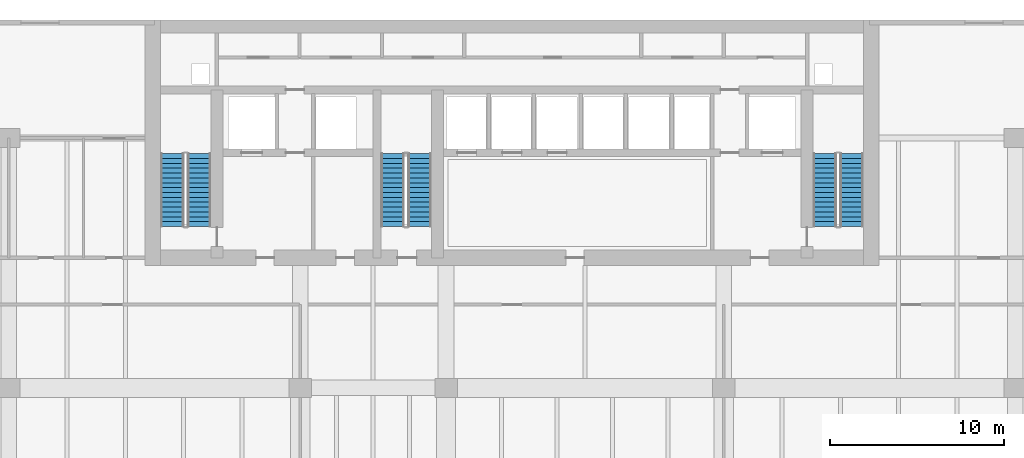
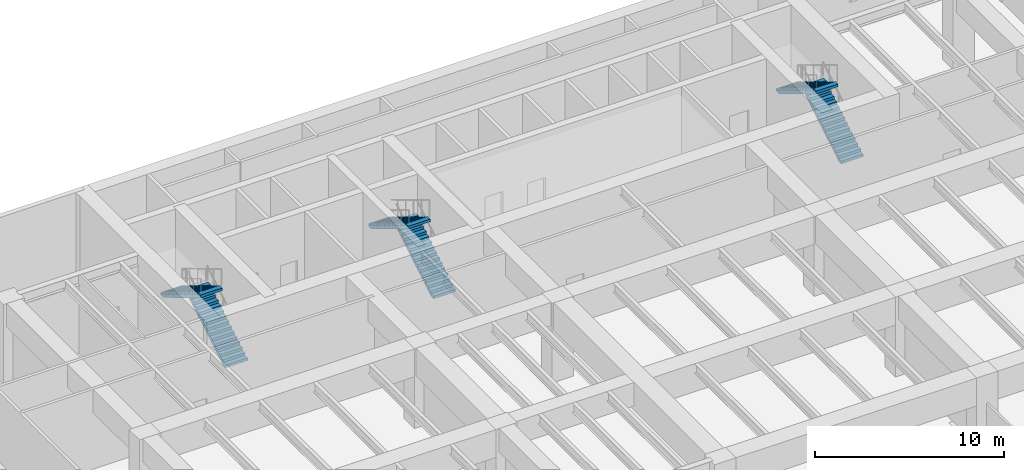
# One storey, part 9 of 12: 6 stair flights, 3 elements without a shape of their own.
"""IFC4 building model written with IfcOpenShell, lengths in metres."""

from ifc_helpers import new_model, si_unit, direction, frame, origin, place, context, subcontext, project, spatial, polyline, outline, extrude, material, type_object, element, aggregate, save


model = new_model("IFC4")

# Units and contexts
model_context = context("Model", 3, precision=1e-05, world=origin(), true_north=direction((0.0, 1.0)))
body_context = subcontext(model_context, "Body", "Model", "MODEL_VIEW")
ifc_project = project(units=[si_unit("LENGTHUNIT", "METRE"), si_unit("AREAUNIT", "SQUARE_METRE"), si_unit("VOLUMEUNIT", "CUBIC_METRE"), si_unit("PLANEANGLEUNIT", "RADIAN"), si_unit("MASSUNIT", "GRAM", prefix="KILO")], contexts=[model_context])

# Site, building, storey
site_placement = place(None, origin())
site = spatial("IfcSite", under=ifc_project, at=site_placement, CompositionType="ELEMENT")
building_placement = place(site_placement, origin())
building = spatial("IfcBuilding", under=site, at=building_placement, Name="Caelmar Bay Residences", CompositionType="ELEMENT")
storey_placement = place(building_placement, frame((0.0, 0.0, 24.60009765625)))
storey = spatial("IfcBuildingStorey", under=building, at=storey_placement, Name="L05", CompositionType="ELEMENT", Elevation=24.60009765625)

# Stair, stair flights
ifc_material_1 = material(Name="Concrete f'c 40 MPa (6,000 psi)", Category="concrete")
stair_type = type_object("IfcStairType", Name="ST-TAL-170", PredefinedType="HALF_TURN_STAIR", material=ifc_material_1)
stair_1_placement = place(storey_placement, origin())
stair_1 = element("IfcStair", 1, at=stair_1_placement, inside=storey, type_object=stair_type, Name="L05 West Smokeproof Exit Stair ST1", PredefinedType="HALF_TURN_STAIR")
ifc_material_2 = material(Name="Precast concrete f'c 40 MPa (6,000 psi)", Category="concrete")
stair_flight_type = type_object("IfcStairFlightType", Name="STF-1400", PredefinedType="STRAIGHT", material=ifc_material_2)
stair_flight_1_placement = place(storey_placement, frame((20.875, 38.699951171875, 0.0), z_axis=(0.0, 0.0, 1.0), x_axis=(0.0, 1.0, 0.0)))
stair_flight_1 = element("IfcStairFlight", 2, at=stair_flight_1_placement, type_object=stair_flight_type, Name="ST1 flight 1", NumberOfRisers=16, NumberOfTreads=15, PredefinedType="STRAIGHT", RiserHeight=0.16875, TreadLength=0.28, context=body_context, shape_type="SweptSolid", body=[
    extrude(outline(polyline([(0.0, 0.0), (0.0, 0.168701171875), (0.280029296875, 0.168701171875), (0.280029296875, 0.33740234375), (0.56005859375, 0.33740234375), (0.56005859375, 0.50634765625), (0.840087890625, 0.50634765625), (0.840087890625, 0.675048828125), (1.1201171875, 0.675048828125), (1.1201171875, 0.84375), (1.39990234375, 0.84375), (1.39990234375, 1.012451171875), (1.679931640625, 1.012451171875), (1.679931640625, 1.18115234375), (1.9599609375, 1.18115234375), (1.9599609375, 1.35009765625), (2.239990234375, 1.35009765625), (2.239990234375, 1.518798828125), (2.52001953125, 1.518798828125), (2.52001953125, 1.6875), (2.800048828125, 1.6875), (2.800048828125, 1.856201171875), (3.080078125, 1.856201171875), (3.080078125, 2.02490234375), (3.360107421875, 2.02490234375), (3.360107421875, 2.19384765625), (3.639892578125, 2.19384765625), (3.639892578125, 2.362548828125), (3.919921875, 2.362548828125), (3.919921875, 2.53125), (4.199951171875, 2.53125), (4.199951171875, 2.699951171875), (4.199951171875, 2.356201171875), (0.29052734375, 0.0), (0.0, 0.0)])), frame((0.0, 0.675048828125, 0.0), z_axis=(0.0, -1.0, 0.0), x_axis=(1.0, 0.0, 0.0)), (0.0, 0.0, 1.0), 1.35009765625),
])
stair_flight_2_placement = place(storey_placement, frame((19.324951171875, 42.89990234375, 2.699951171875), z_axis=(0.0, 0.0, 1.0), x_axis=(0.0, -1.0, 0.0)))
stair_flight_2 = element("IfcStairFlight", 3, at=stair_flight_2_placement, type_object=stair_flight_type, Name="ST1 flight 2", NumberOfRisers=16, NumberOfTreads=15, PredefinedType="STRAIGHT", RiserHeight=0.16875, TreadLength=0.28, context=body_context, shape_type="SweptSolid", body=[
    extrude(outline(polyline([(0.0, 0.0), (0.0, 0.168701171875), (0.280029296875, 0.168701171875), (0.280029296875, 0.33740234375), (0.56005859375, 0.33740234375), (0.56005859375, 0.50634765625), (0.840087890625, 0.50634765625), (0.840087890625, 0.675048828125), (1.1201171875, 0.675048828125), (1.1201171875, 0.84375), (1.39990234375, 0.84375), (1.39990234375, 1.012451171875), (1.679931640625, 1.012451171875), (1.679931640625, 1.18115234375), (1.9599609375, 1.18115234375), (1.9599609375, 1.35009765625), (2.239990234375, 1.35009765625), (2.239990234375, 1.518798828125), (2.52001953125, 1.518798828125), (2.52001953125, 1.6875), (2.800048828125, 1.6875), (2.800048828125, 1.856201171875), (3.080078125, 1.856201171875), (3.080078125, 2.02490234375), (3.360107421875, 2.02490234375), (3.360107421875, 2.19384765625), (3.639892578125, 2.19384765625), (3.639892578125, 2.362548828125), (3.919921875, 2.362548828125), (3.919921875, 2.53125), (4.199951171875, 2.53125), (4.199951171875, 2.699951171875), (4.199951171875, 2.356201171875), (0.29052734375, 0.0), (0.0, 0.0)])), frame((0.0, 0.675048828125, 0.0), z_axis=(0.0, -1.0, 0.0), x_axis=(1.0, 0.0, 0.0)), (0.0, 0.0, 1.0), 1.35009765625),
])
aggregate(stair_1, [stair_flight_1, stair_flight_2])

stair_2_placement = place(storey_placement, origin())
stair_2 = element("IfcStair", 4, at=stair_2_placement, inside=storey, type_object=stair_type, Name="L05 East Smokeproof Exit Stair ST2", PredefinedType="HALF_TURN_STAIR")
stair_flight_3_placement = place(storey_placement, frame((58.47509765625, 38.699951171875, 0.0), z_axis=(0.0, 0.0, 1.0), x_axis=(0.0, 1.0, 0.0)))
stair_flight_3 = element("IfcStairFlight", 5, at=stair_flight_3_placement, type_object=stair_flight_type, Name="ST2 flight 1", NumberOfRisers=16, NumberOfTreads=15, PredefinedType="STRAIGHT", RiserHeight=0.16875, TreadLength=0.28, context=body_context, shape_type="SweptSolid", body=[
    extrude(outline(polyline([(0.0, 0.0), (0.0, 0.168701171875), (0.280029296875, 0.168701171875), (0.280029296875, 0.33740234375), (0.56005859375, 0.33740234375), (0.56005859375, 0.50634765625), (0.840087890625, 0.50634765625), (0.840087890625, 0.675048828125), (1.1201171875, 0.675048828125), (1.1201171875, 0.84375), (1.39990234375, 0.84375), (1.39990234375, 1.012451171875), (1.679931640625, 1.012451171875), (1.679931640625, 1.18115234375), (1.9599609375, 1.18115234375), (1.9599609375, 1.35009765625), (2.239990234375, 1.35009765625), (2.239990234375, 1.518798828125), (2.52001953125, 1.518798828125), (2.52001953125, 1.6875), (2.800048828125, 1.6875), (2.800048828125, 1.856201171875), (3.080078125, 1.856201171875), (3.080078125, 2.02490234375), (3.360107421875, 2.02490234375), (3.360107421875, 2.19384765625), (3.639892578125, 2.19384765625), (3.639892578125, 2.362548828125), (3.919921875, 2.362548828125), (3.919921875, 2.53125), (4.199951171875, 2.53125), (4.199951171875, 2.699951171875), (4.199951171875, 2.356201171875), (0.29052734375, 0.0), (0.0, 0.0)])), frame((0.0, 0.675048828125, 0.0), z_axis=(0.0, -1.0, 0.0), x_axis=(1.0, 0.0, 0.0)), (0.0, 0.0, 1.0), 1.35009765625),
])
stair_flight_4_placement = place(storey_placement, frame((56.925048828125, 42.89990234375, 2.699951171875), z_axis=(0.0, 0.0, 1.0), x_axis=(0.0, -1.0, 0.0)))
stair_flight_4 = element("IfcStairFlight", 6, at=stair_flight_4_placement, type_object=stair_flight_type, Name="ST2 flight 2", NumberOfRisers=16, NumberOfTreads=15, PredefinedType="STRAIGHT", RiserHeight=0.16875, TreadLength=0.28, context=body_context, shape_type="SweptSolid", body=[
    extrude(outline(polyline([(0.0, 0.0), (0.0, 0.168701171875), (0.280029296875, 0.168701171875), (0.280029296875, 0.33740234375), (0.56005859375, 0.33740234375), (0.56005859375, 0.50634765625), (0.840087890625, 0.50634765625), (0.840087890625, 0.675048828125), (1.1201171875, 0.675048828125), (1.1201171875, 0.84375), (1.39990234375, 0.84375), (1.39990234375, 1.012451171875), (1.679931640625, 1.012451171875), (1.679931640625, 1.18115234375), (1.9599609375, 1.18115234375), (1.9599609375, 1.35009765625), (2.239990234375, 1.35009765625), (2.239990234375, 1.518798828125), (2.52001953125, 1.518798828125), (2.52001953125, 1.6875), (2.800048828125, 1.6875), (2.800048828125, 1.856201171875), (3.080078125, 1.856201171875), (3.080078125, 2.02490234375), (3.360107421875, 2.02490234375), (3.360107421875, 2.19384765625), (3.639892578125, 2.19384765625), (3.639892578125, 2.362548828125), (3.919921875, 2.362548828125), (3.919921875, 2.53125), (4.199951171875, 2.53125), (4.199951171875, 2.699951171875), (4.199951171875, 2.356201171875), (0.29052734375, 0.0), (0.0, 0.0)])), frame((0.0, 0.675048828125, 0.0), z_axis=(0.0, -1.0, 0.0), x_axis=(1.0, 0.0, 0.0)), (0.0, 0.0, 1.0), 1.35009765625),
])
aggregate(stair_2, [stair_flight_3, stair_flight_4])

stair_3_placement = place(storey_placement, origin())
stair_3 = element("IfcStair", 7, at=stair_3_placement, inside=storey, type_object=stair_type, Name="L05 Central Smokeproof Exit Stair ST3", PredefinedType="HALF_TURN_STAIR")
stair_flight_5_placement = place(storey_placement, frame((33.574951171875, 38.699951171875, 0.0), z_axis=(0.0, 0.0, 1.0), x_axis=(0.0, 1.0, 0.0)))
stair_flight_5 = element("IfcStairFlight", 8, at=stair_flight_5_placement, type_object=stair_flight_type, Name="ST3 flight 1", NumberOfRisers=16, NumberOfTreads=15, PredefinedType="STRAIGHT", RiserHeight=0.16875, TreadLength=0.28, context=body_context, shape_type="SweptSolid", body=[
    extrude(outline(polyline([(0.0, 0.0), (0.0, 0.168701171875), (0.280029296875, 0.168701171875), (0.280029296875, 0.33740234375), (0.56005859375, 0.33740234375), (0.56005859375, 0.50634765625), (0.840087890625, 0.50634765625), (0.840087890625, 0.675048828125), (1.1201171875, 0.675048828125), (1.1201171875, 0.84375), (1.39990234375, 0.84375), (1.39990234375, 1.012451171875), (1.679931640625, 1.012451171875), (1.679931640625, 1.18115234375), (1.9599609375, 1.18115234375), (1.9599609375, 1.35009765625), (2.239990234375, 1.35009765625), (2.239990234375, 1.518798828125), (2.52001953125, 1.518798828125), (2.52001953125, 1.6875), (2.800048828125, 1.6875), (2.800048828125, 1.856201171875), (3.080078125, 1.856201171875), (3.080078125, 2.02490234375), (3.360107421875, 2.02490234375), (3.360107421875, 2.19384765625), (3.639892578125, 2.19384765625), (3.639892578125, 2.362548828125), (3.919921875, 2.362548828125), (3.919921875, 2.53125), (4.199951171875, 2.53125), (4.199951171875, 2.699951171875), (4.199951171875, 2.356201171875), (0.29052734375, 0.0), (0.0, 0.0)])), frame((0.0, 0.675048828125, 0.0), z_axis=(0.0, -1.0, 0.0), x_axis=(1.0, 0.0, 0.0)), (0.0, 0.0, 1.0), 1.35009765625),
])
stair_flight_6_placement = place(storey_placement, frame((32.02490234375, 42.89990234375, 2.699951171875), z_axis=(0.0, 0.0, 1.0), x_axis=(0.0, -1.0, 0.0)))
stair_flight_6 = element("IfcStairFlight", 9, at=stair_flight_6_placement, type_object=stair_flight_type, Name="ST3 flight 2", NumberOfRisers=16, NumberOfTreads=15, PredefinedType="STRAIGHT", RiserHeight=0.16875, TreadLength=0.28, context=body_context, shape_type="SweptSolid", body=[
    extrude(outline(polyline([(0.0, 0.0), (0.0, 0.168701171875), (0.280029296875, 0.168701171875), (0.280029296875, 0.33740234375), (0.56005859375, 0.33740234375), (0.56005859375, 0.50634765625), (0.840087890625, 0.50634765625), (0.840087890625, 0.675048828125), (1.1201171875, 0.675048828125), (1.1201171875, 0.84375), (1.39990234375, 0.84375), (1.39990234375, 1.012451171875), (1.679931640625, 1.012451171875), (1.679931640625, 1.18115234375), (1.9599609375, 1.18115234375), (1.9599609375, 1.35009765625), (2.239990234375, 1.35009765625), (2.239990234375, 1.518798828125), (2.52001953125, 1.518798828125), (2.52001953125, 1.6875), (2.800048828125, 1.6875), (2.800048828125, 1.856201171875), (3.080078125, 1.856201171875), (3.080078125, 2.02490234375), (3.360107421875, 2.02490234375), (3.360107421875, 2.19384765625), (3.639892578125, 2.19384765625), (3.639892578125, 2.362548828125), (3.919921875, 2.362548828125), (3.919921875, 2.53125), (4.199951171875, 2.53125), (4.199951171875, 2.699951171875), (4.199951171875, 2.356201171875), (0.29052734375, 0.0), (0.0, 0.0)])), frame((0.0, 0.675048828125, 0.0), z_axis=(0.0, -1.0, 0.0), x_axis=(1.0, 0.0, 0.0)), (0.0, 0.0, 1.0), 1.35009765625),
])
aggregate(stair_3, [stair_flight_5, stair_flight_6])

save(model, "model.ifc")
